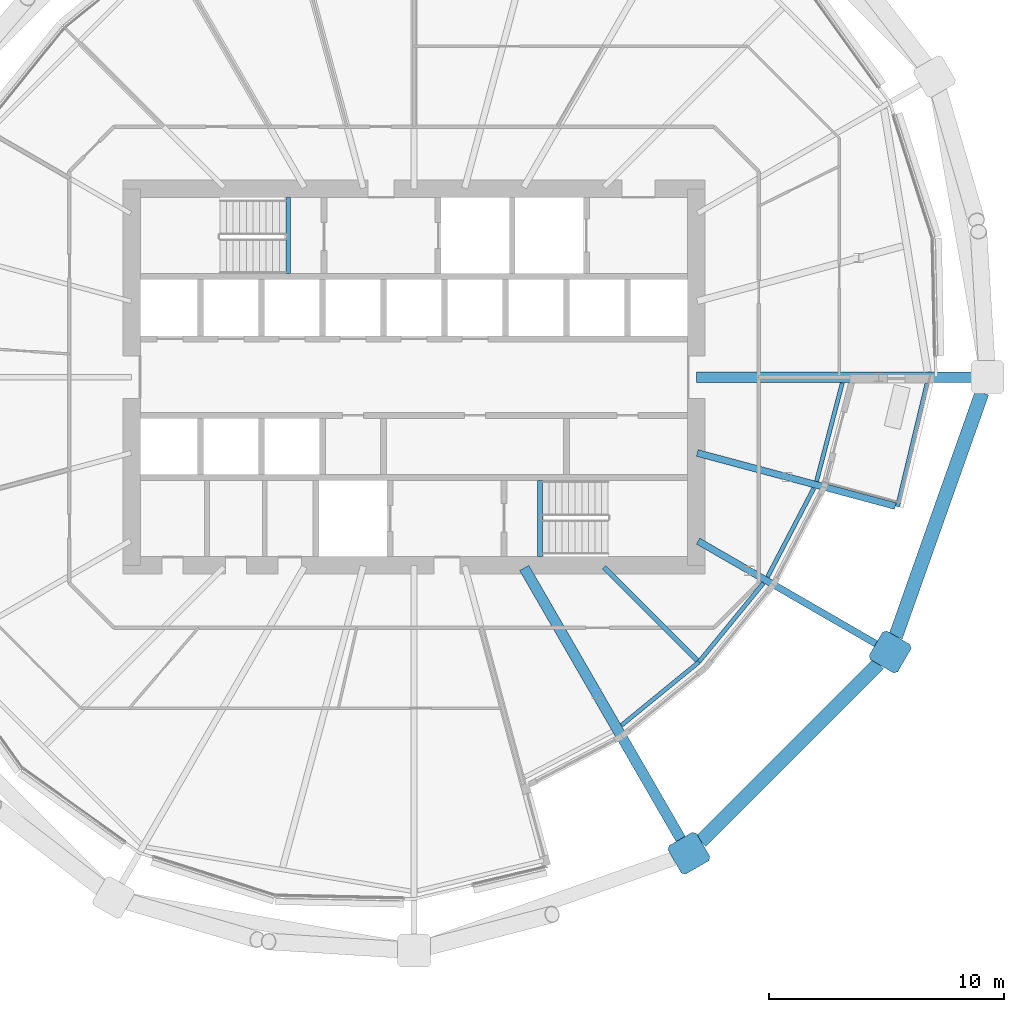
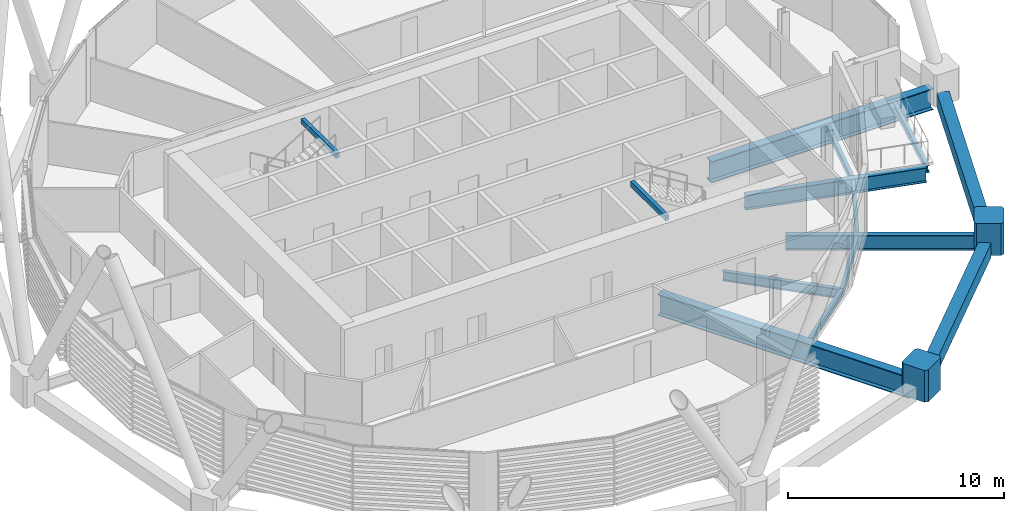
# One storey, part 16 of 38: 14 beams, 2 members.
"""IFC4 building model written with IfcOpenShell, lengths in metres."""

from ifc_helpers import new_model, si_unit, direction, frame, origin, origin_2d, place, context, subcontext, project, spatial, polyline, hollow_rectangle, i_section, outline, extrude, material, material_profile, profile_set, type_object, element, save


model = new_model("IFC4")

# Units and contexts
model_context = context("Model", 3, precision=1e-05, world=origin(), true_north=direction((0.0, 1.0)))
body_context = subcontext(model_context, "Body", "Model", "MODEL_VIEW")
ifc_project = project(units=[si_unit("LENGTHUNIT", "METRE"), si_unit("AREAUNIT", "SQUARE_METRE"), si_unit("VOLUMEUNIT", "CUBIC_METRE"), si_unit("PLANEANGLEUNIT", "RADIAN"), si_unit("MASSUNIT", "GRAM", prefix="KILO")], contexts=[model_context])

# Site, building, storey
site_placement = place(None, origin())
site = spatial("IfcSite", under=ifc_project, at=site_placement, CompositionType="ELEMENT")
building_placement = place(site_placement, origin())
building = spatial("IfcBuilding", under=site, at=building_placement, Name="Rimbun Link Towers", CompositionType="ELEMENT")
storey_placement = place(building_placement, frame((0.0, 0.0, 93.0)))
storey = spatial("IfcBuildingStorey", under=building, at=storey_placement, Name="L22", CompositionType="ELEMENT", Elevation=93.0)

# Members
ifc_material_1 = material(Name="Cast steel G20Mn5+QT, Rp0.2 300 MPa", Category="steel")
ifc_material_profile_1 = material_profile(ifc_material_1, outline(polyline([(0.699951171875, -0.570068359375), (0.699951171875, 0.570068359375), (0.570068359375, 0.699951171875), (-0.570068359375, 0.699951171875), (-0.699951171875, 0.570068359375), (-0.699951171875, -0.570068359375), (-0.570068359375, -0.699951171875), (0.570068359375, -0.699951171875), (0.699951171875, -0.570068359375)])), Name="NODE 1400x1400")
ifc_profile_set_1 = profile_set([ifc_material_profile_1], Name="Cast steel G20Mn5+QT, Rp0.2 300 MPa")
member_type = type_object("IfcMemberType", Name="Diagrid node cast 1400", PredefinedType="USERDEFINED", material=ifc_profile_set_1)
for number, where, z_axis, x_axis, name in (
    (1, (43.435546875, -20.239990234375, -0.89990234375), (0.0, 0.0, 1.0), (0.5, -0.866025403784, 0.0), "Diagrid node L22 17"),
    (2, (51.989990234375, -11.685546875, -0.89990234375), (0.0, 0.0, 1.0), (0.866025403784, -0.5, 0.0), "Diagrid node L22 19"),
):
    element("IfcMember", number, at=place(storey_placement, frame(where, z_axis=z_axis, x_axis=x_axis)), inside=storey, type_object=member_type, Name=name, ObjectType="Diagrid node", PredefinedType="USERDEFINED", context=body_context, shape_type="SweptSolid", body=[
        extrude(outline(polyline([(0.699951171875, -0.570068359375), (0.699951171875, 0.570068359375), (0.570068359375, 0.699951171875), (-0.570068359375, 0.699951171875), (-0.699951171875, 0.570068359375), (-0.699951171875, -0.570068359375), (-0.570068359375, -0.699951171875), (0.570068359375, -0.699951171875), (0.699951171875, -0.570068359375)])), origin(), (0.0, 0.0, 1.0), 1.7998046875),
    ])

# Beams
ifc_material_2 = material(Name="Steel S355J2", Category="steel")
ifc_material_profile_2 = material_profile(ifc_material_2, hollow_rectangle(XDim=0.60009765625, YDim=0.800048828125, WallThickness=0.0400390625, at=origin_2d()), Name="Exoskeleton ring girder BOX 600x800x40")
ifc_profile_set_2 = profile_set([ifc_material_profile_2], Name="Steel S355J2")
beam_type_1 = type_object("IfcBeamType", Name="Exoskeleton ring girder BOX 600x800x40", PredefinedType="BEAM", material=ifc_profile_set_2)
beam_1_placement = place(storey_placement, frame((43.930419921875, -19.744873046875, -0.56005859375), z_axis=(0.707106781187, 0.707106781187, 0.0), x_axis=(-0.707106781187, 0.707106781187, 0.0)))
element("IfcBeam", 3, at=beam_1_placement, inside=storey, type_object=beam_type_1, Name="Exoskeleton ring girder L22 08", PredefinedType="BEAM", context=body_context, shape_type="SweptSolid", body=[
    extrude(hollow_rectangle(XDim=0.60009765625, YDim=0.800048828125, WallThickness=0.0400390625, at=origin_2d()), origin(), (0.0, 0.0, 1.0), 10.69775390625),
])
beam_2_placement = place(storey_placement, frame((52.2236328125, -11.025634765625, -0.56005859375), z_axis=(0.333882485697, 0.942614706943, 0.0), x_axis=(-0.942614706943, 0.333882485697, 0.0)))
element("IfcBeam", 4, at=beam_2_placement, inside=storey, type_object=beam_type_1, Name="Exoskeleton ring girder L22 09", PredefinedType="BEAM", context=body_context, shape_type="SweptSolid", body=[
    extrude(hollow_rectangle(XDim=0.60009765625, YDim=0.800048828125, WallThickness=0.0400390625, at=origin_2d()), origin(), (0.0, 0.0, 1.0), 10.996826171875),
])
ifc_material_3 = material(Name="Steel S355J2", Category="steel")
ifc_material_profile_3 = material_profile(ifc_material_3, i_section(OverallWidth=0.449951171875, OverallDepth=1.199951171875, WebThickness=0.030029296875, FlangeThickness=0.044921875, at=origin_2d()), Name="PG 1200x450x30/45")
ifc_profile_set_3 = profile_set([ifc_material_profile_3], Name="Steel S355J2")
beam_type_2 = type_object("IfcBeamType", Name="PG 1200x450x30/45", PredefinedType="BEAM", material=ifc_profile_set_3)
beam_3_placement = place(storey_placement, frame((36.43408203125, -8.11328125, -0.760009765625), z_axis=(0.500008870773, -0.866020282181, 0.0), x_axis=(0.866020282181, 0.500008870773, 0.0)))
element("IfcBeam", 5, at=beam_3_placement, inside=storey, type_object=beam_type_2, Name="Radial beam T2 L22 17", PredefinedType="BEAM", context=body_context, shape_type="SweptSolid", body=[
    extrude(i_section(OverallWidth=0.449951171875, OverallDepth=1.199951171875, WebThickness=0.030029296875, FlangeThickness=0.044921875, at=origin_2d()), origin(), (0.0, 0.0, 1.0), 13.502685546875),
])
beam_4_placement = place(storey_placement, frame((43.7509765625, 0.0, -0.760009765625), z_axis=(1.0, 0.0, 0.0), x_axis=(0.0, 1.0, 0.0)))
element("IfcBeam", 6, at=beam_4_placement, inside=storey, type_object=beam_type_2, Name="Radial beam T2 L22 21", PredefinedType="BEAM", context=body_context, shape_type="SweptSolid", body=[
    extrude(i_section(OverallWidth=0.449951171875, OverallDepth=1.199951171875, WebThickness=0.030029296875, FlangeThickness=0.044921875, at=origin_2d()), origin(), (0.0, 0.0, 1.0), 11.8779296875),
])
ifc_material_4 = material(Name="Steel S355J2", Category="steel")
ifc_material_profile_4 = material_profile(ifc_material_4, hollow_rectangle(XDim=0.199951171875, YDim=0.300048828125, WallThickness=0.011962890625, at=origin_2d()), Name="BOX 300x200x12")
ifc_profile_set_4 = profile_set([ifc_material_profile_4], Name="Steel S355J2")
beam_type_3 = type_object("IfcBeamType", Name="Stair trimmer beam BOX 300x200x12", PredefinedType="BEAM", material=ifc_profile_set_4)
for number, where, z_axis, x_axis, name in (
    (7, (26.39990234375, 7.625, 3.489990234375), (0.0, -1.0, 0.0), (1.0, 0.0, 0.0), "L22 ST3 stair beam 1"),
    (8, (37.10009765625, -7.625, 3.489990234375), (0.0, 1.0, 0.0), (-1.0, 0.0, 0.0), "L22 ST4 stair beam 1"),
):
    element("IfcBeam", number, at=place(storey_placement, frame(where, z_axis=z_axis, x_axis=x_axis)), inside=storey, type_object=beam_type_3, Name=name, PredefinedType="BEAM", context=body_context, shape_type="SweptSolid", body=[
        extrude(hollow_rectangle(XDim=0.199951171875, YDim=0.300048828125, WallThickness=0.011962890625, at=origin_2d()), origin(), (0.0, 0.0, 1.0), 3.22509765625),
    ])
ifc_material_5 = material(Name="Steel S355J2", Category="steel")
ifc_material_profile_5 = material_profile(ifc_material_5, i_section(OverallWidth=0.177978515625, OverallDepth=0.406494140625, WebThickness=0.0078125, FlangeThickness=0.0126953125, at=origin_2d()), Name="UB 406x178x60")
ifc_profile_set_5 = profile_set([ifc_material_profile_5], Name="Steel S355J2")
beam_type_4 = type_object("IfcBeamType", Name="UB 406x178x60", PredefinedType="BEAM", material=ifc_profile_set_5)
beam_5_placement = place(storey_placement, frame((40.572265625, -14.800048828125, -0.36328125), z_axis=(0.773885428712, 0.6333256218, 0.0), x_axis=(-0.6333256218, 0.773885428712, 0.0)))
element("IfcBeam", 9, at=beam_5_placement, inside=storey, type_object=beam_type_4, Name="Edge beam T2 L22 17 recess", PredefinedType="BEAM", context=body_context, shape_type="SweptSolid", body=[
    extrude(i_section(OverallWidth=0.177978515625, OverallDepth=0.406494140625, WebThickness=0.0078125, FlangeThickness=0.0126953125, at=origin_2d()), origin(), (0.0, 0.0, 1.0), 4.238037109375),
])
beam_6_placement = place(storey_placement, frame((43.865966796875, -12.10205078125, -0.36328125), z_axis=(0.633323998482, 0.773886757185, 0.0), x_axis=(-0.773886757185, 0.633323998482, 0.0)))
element("IfcBeam", 10, at=beam_6_placement, inside=storey, type_object=beam_type_4, Name="Edge beam T2 L22 18 recess", PredefinedType="BEAM", context=body_context, shape_type="SweptSolid", body=[
    extrude(i_section(OverallWidth=0.177978515625, OverallDepth=0.406494140625, WebThickness=0.0078125, FlangeThickness=0.0126953125, at=origin_2d()), origin(), (0.0, 0.0, 1.0), 4.31787109375),
])
beam_7_placement = place(storey_placement, frame((46.774169921875, -8.499755859375, -0.36328125), z_axis=(0.462495443014, 0.886621658427, 0.0), x_axis=(-0.886621658427, 0.462495443014, 0.0)))
element("IfcBeam", 11, at=beam_7_placement, inside=storey, type_object=beam_type_4, Name="Edge beam T2 L22 19 recess", PredefinedType="BEAM", context=body_context, shape_type="SweptSolid", body=[
    extrude(i_section(OverallWidth=0.177978515625, OverallDepth=0.406494140625, WebThickness=0.0078125, FlangeThickness=0.0126953125, at=origin_2d()), origin(), (0.0, 0.0, 1.0), 4.2568359375),
])
beam_8_placement = place(storey_placement, frame((48.859130859375, -4.431396484375, -0.36328125), z_axis=(0.253559405642, 0.967319816715, 0.0), x_axis=(-0.967319816715, 0.253559405642, 0.0)))
element("IfcBeam", 12, at=beam_8_placement, inside=storey, type_object=beam_type_4, Name="Edge beam T2 L22 20 recess", PredefinedType="BEAM", context=body_context, shape_type="SweptSolid", body=[
    extrude(i_section(OverallWidth=0.177978515625, OverallDepth=0.406494140625, WebThickness=0.0078125, FlangeThickness=0.0126953125, at=origin_2d()), origin(), (0.0, 0.0, 1.0), 4.32421875),
])
beam_9_placement = place(storey_placement, frame((52.300048828125, -5.50537109375, -0.36328125), z_axis=(0.233475391847, 0.972362710824, 0.0), x_axis=(-0.972362710824, 0.233475391847, 0.0)))
element("IfcBeam", 13, at=beam_9_placement, inside=storey, type_object=beam_type_4, Name="Edge beam T2 L22 20 terrace", PredefinedType="BEAM", context=body_context, shape_type="SweptSolid", body=[
    extrude(i_section(OverallWidth=0.177978515625, OverallDepth=0.406494140625, WebThickness=0.0078125, FlangeThickness=0.0126953125, at=origin_2d()), origin(), (0.0, 0.0, 1.0), 5.408203125),
])
ifc_material_6 = material(Name="Steel S355J2", Category="steel")
ifc_material_profile_6 = material_profile(ifc_material_6, i_section(OverallWidth=0.209228515625, OverallDepth=0.533203125, WebThickness=0.010009765625, FlangeThickness=0.015625, at=origin_2d()), Name="UB 533x210x92")
ifc_profile_set_6 = profile_set([ifc_material_profile_6], Name="Steel S355J2")
beam_type_5 = type_object("IfcBeamType", Name="UB 533x210x92", PredefinedType="BEAM", material=ifc_profile_set_6)
beam_10_placement = place(storey_placement, frame((39.82470703125, -8.07470703125, -0.426513671875), z_axis=(0.707106781187, -0.707106781187, 0.0), x_axis=(0.707106781187, 0.707106781187, 0.0)))
element("IfcBeam", 14, at=beam_10_placement, inside=storey, type_object=beam_type_5, Name="Radial beam T2 L22 18", PredefinedType="BEAM", context=body_context, shape_type="SweptSolid", body=[
    extrude(i_section(OverallWidth=0.209228515625, OverallDepth=0.533203125, WebThickness=0.010009765625, FlangeThickness=0.015625, at=origin_2d()), origin(), (0.0, 0.0, 1.0), 5.616455078125),
])
ifc_material_7 = material(Name="Steel S355J2", Category="steel")
ifc_material_profile_7 = material_profile(ifc_material_7, i_section(OverallWidth=0.29248046875, OverallDepth=0.8408203125, WebThickness=0.0126953125, FlangeThickness=0.021728515625, at=origin_2d()), Name="UB 838x292x194")
ifc_profile_set_7 = profile_set([ifc_material_profile_7], Name="Steel S355J2")
beam_type_6 = type_object("IfcBeamType", Name="UB 838x292x194", PredefinedType="BEAM", material=ifc_profile_set_7)
beam_11_placement = place(storey_placement, frame((43.823974609375, -6.970947265625, -0.580322265625), z_axis=(0.866025314117, -0.500000155309, 0.0), x_axis=(0.500000155309, 0.866025314117, 0.0)))
element("IfcBeam", 15, at=beam_11_placement, inside=storey, type_object=beam_type_6, Name="Radial beam T2 L22 19", PredefinedType="BEAM", context=body_context, shape_type="SweptSolid", body=[
    extrude(i_section(OverallWidth=0.29248046875, OverallDepth=0.8408203125, WebThickness=0.0126953125, FlangeThickness=0.021728515625, at=origin_2d()), origin(), (0.0, 0.0, 1.0), 8.92919921875),
])
beam_12_placement = place(storey_placement, frame((43.788818359375, -3.225830078125, -0.580322265625), z_axis=(0.965929933468, -0.258803716415, 0.0), x_axis=(0.258803716415, 0.965929933468, 0.0)))
element("IfcBeam", 16, at=beam_12_placement, inside=storey, type_object=beam_type_6, Name="Radial beam T2 L22 20", PredefinedType="BEAM", context=body_context, shape_type="SweptSolid", body=[
    extrude(i_section(OverallWidth=0.29248046875, OverallDepth=0.8408203125, WebThickness=0.0126953125, FlangeThickness=0.021728515625, at=origin_2d()), origin(), (0.0, 0.0, 1.0), 8.72119140625),
])

save(model, "model.ifc")
